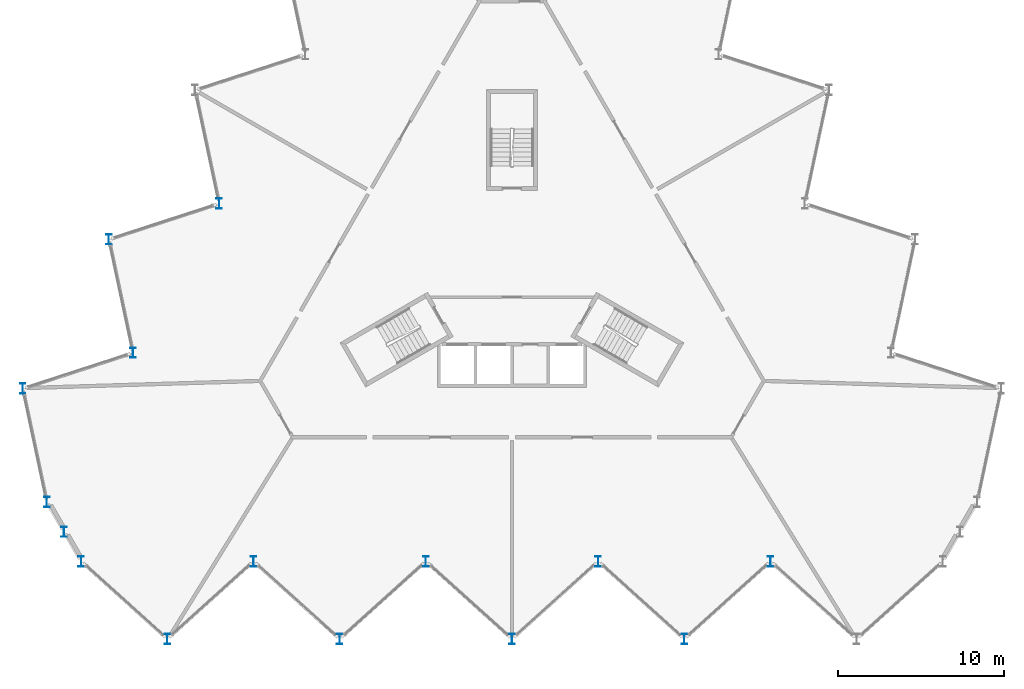
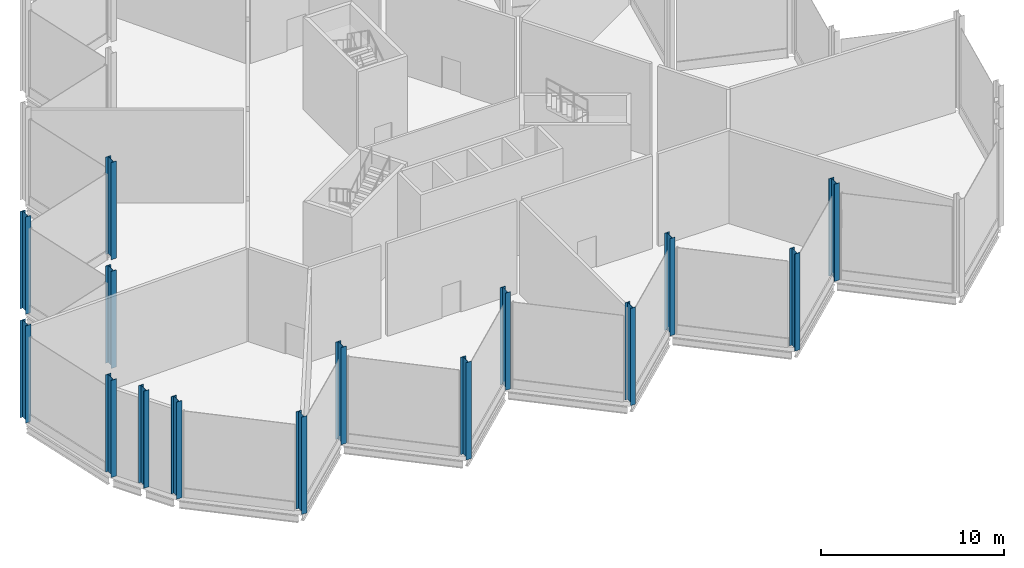
# One storey, part 1 of 12: 15 columns.
"""IFC4 building model written with IfcOpenShell, lengths in metres."""

from ifc_helpers import new_model, si_unit, direction, frame, origin, origin_2d, place, context, subcontext, project, spatial, i_section, extrude, material, material_profile, profile_set, type_object, element, save


model = new_model("IFC4")

# Units and contexts
model_context = context("Model", 3, precision=1e-05, world=origin(), true_north=direction((0.0, 1.0)))
body_context = subcontext(model_context, "Body", "Model", "MODEL_VIEW")
ifc_project = project(units=[si_unit("LENGTHUNIT", "METRE"), si_unit("AREAUNIT", "SQUARE_METRE"), si_unit("VOLUMEUNIT", "CUBIC_METRE"), si_unit("PLANEANGLEUNIT", "RADIAN"), si_unit("MASSUNIT", "GRAM", prefix="KILO")], contexts=[model_context])

# Site, building, storey
site_placement = place(None, origin())
site = spatial("IfcSite", under=ifc_project, at=site_placement, CompositionType="ELEMENT")
building_placement = place(site_placement, origin())
building = spatial("IfcBuilding", under=site, at=building_placement, Name="Cormorant Prow Tower", CompositionType="ELEMENT")
storey_placement = place(building_placement, frame((0.0, 0.0, 428.199951171875)))
storey = spatial("IfcBuildingStorey", under=building, at=storey_placement, Name="L96", CompositionType="ELEMENT", Elevation=428.199951171875)

# Columns
ifc_material = material(Name="Structural steel ASTM A992 Gr 50", Category="steel")
ifc_material_profile = material_profile(ifc_material, i_section(OverallWidth=0.326416015625, OverallDepth=0.621826171875, WebThickness=0.015380859375, FlangeThickness=0.0244140625, at=origin_2d()), Name="W24x131")
ifc_profile_set = profile_set([ifc_material_profile], Name="Structural steel ASTM A992 Gr 50")
column_type = type_object("IfcColumnType", Name="Crown frame column W24x131", PredefinedType="COLUMN", material=ifc_profile_set)
for number, where, z_axis, x_axis, name in (
    (1, (-26.0, -17.40576171875, 0.0), (0.0, 0.0, 1.0), (1.0, 0.0, 0.0), "Crown frame column at S00 L96"),
    (2, (-20.800048828125, -22.087890625, 0.0), (0.0, 0.0, 1.0), (1.0, 0.0, 0.0), "Crown frame column at S01 L96"),
    (3, (-15.60009765625, -17.40576171875, 0.0), (0.0, 0.0, 1.0), (1.0, 0.0, 0.0), "Crown frame column at S02 L96"),
    (4, (-10.39990234375, -22.087890625, 0.0), (0.0, 0.0, 1.0), (1.0, 0.0, 0.0), "Crown frame column at S03 L96"),
    (5, (-5.199951171875, -17.40576171875, 0.0), (0.0, 0.0, 1.0), (1.0, 0.0, 0.0), "Crown frame column at S04 L96"),
    (6, (0.0, -22.087890625, 0.0), (0.0, 0.0, 1.0), (1.0, 0.0, 0.0), "Crown frame column at S05 L96"),
    (7, (5.199951171875, -17.40576171875, 0.0), (0.0, 0.0, 1.0), (1.0, 0.0, 0.0), "Crown frame column at S06 L96"),
    (8, (10.39990234375, -22.087890625, 0.0), (0.0, 0.0, 1.0), (1.0, 0.0, 0.0), "Crown frame column at S07 L96"),
    (9, (15.60009765625, -17.40576171875, 0.0), (0.0, 0.0, 1.0), (1.0, 0.0, 0.0), "Crown frame column at S08 L96"),
    (10, (-17.673828125, 4.199462890625, 0.0), (0.0, 0.0, 1.0), (1.0, 0.0, 0.0), "Crown frame column at WNW06 L96"),
    (11, (-24.32861328125, 2.037353515625, 0.0), (0.0, 0.0, 1.0), (1.0, 0.0, 0.0), "Crown frame column at WNW07 L96"),
    (12, (-22.873779296875, -4.80712890625, 0.0), (0.0, 0.0, 1.0), (1.0, 0.0, 0.0), "Crown frame column at WNW08 L96"),
    (13, (-29.528564453125, -6.969482421875, 0.0), (0.0, 0.0, 1.0), (1.0, 0.0, 0.0), "Crown frame column at WNW09 L96"),
    (14, (-28.07373046875, -13.813720703125, 0.0), (0.0, 0.0, 1.0), (1.0, 0.0, 0.0), "Crown frame column at WSW00 L96"),
    (15, (-27.036865234375, -15.60986328125, 0.0), (0.0, 0.0, 1.0), (1.0, 0.0, 0.0), "Crown frame column at WSW01 L96"),
):
    element("IfcColumn", number, at=place(storey_placement, frame(where, z_axis=z_axis, x_axis=x_axis)), inside=storey, type_object=column_type, Name=name, PredefinedType="COLUMN", context=body_context, shape_type="SweptSolid", body=[
        extrude(i_section(OverallWidth=0.326416015625, OverallDepth=0.621826171875, WebThickness=0.015380859375, FlangeThickness=0.0244140625, at=origin_2d()), origin(), (0.0, 0.0, 1.0), 6.5),
    ])

save(model, "model.ifc")
